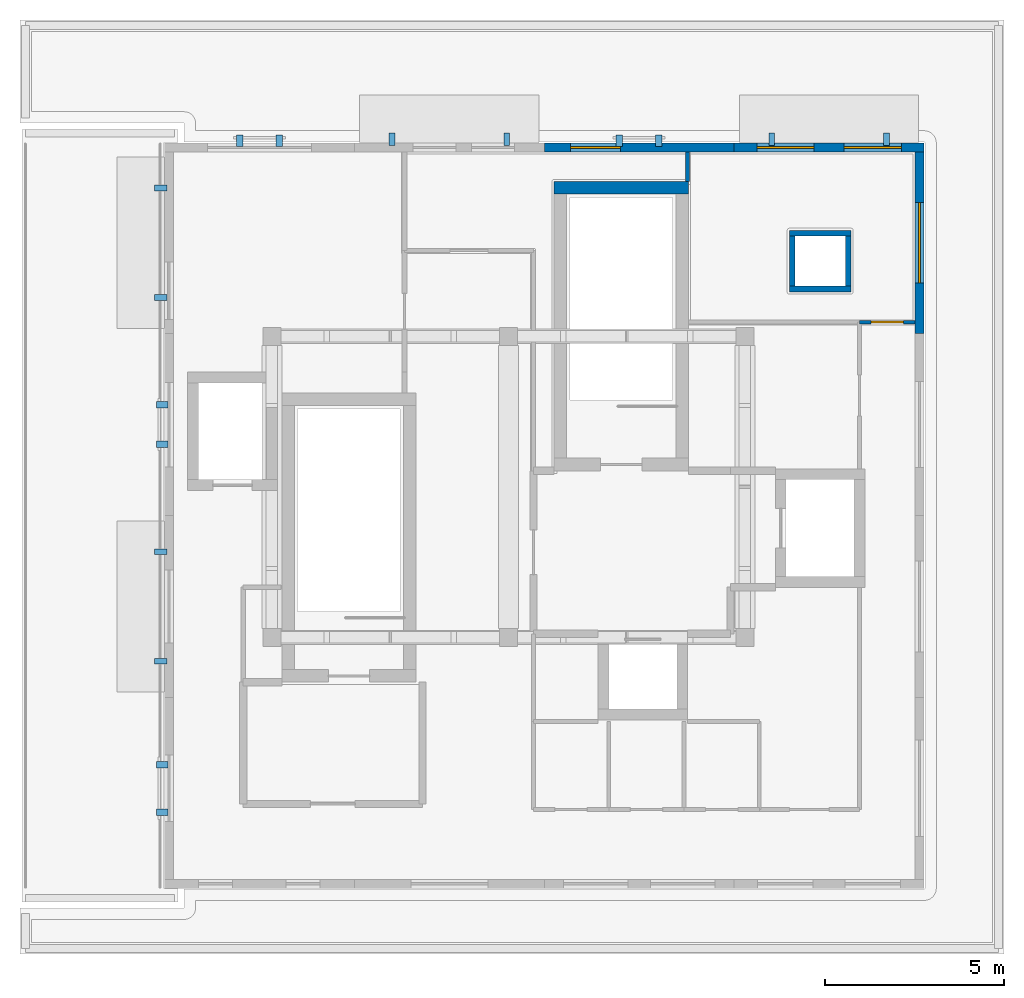
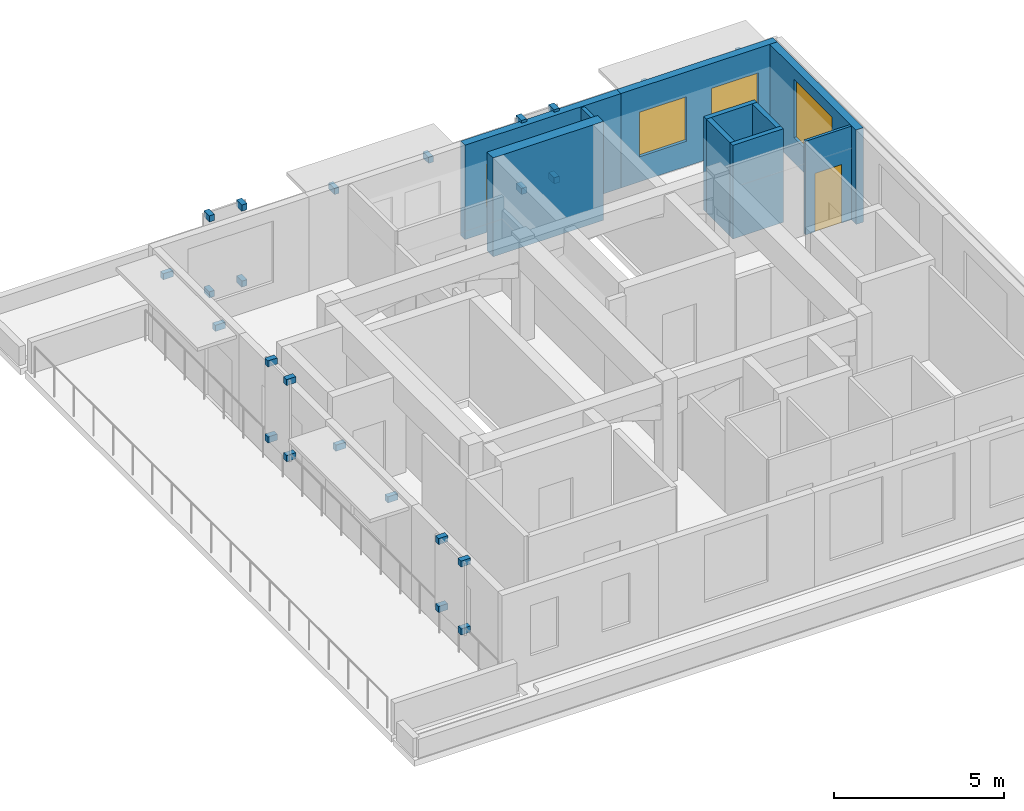
# One storey, part 4 of 5: 24 discrete accessories, 10 walls, 4 windows, 1 door, 5 openings.
"""IFC4 building model written with IfcOpenShell, lengths in metres."""

from ifc_helpers import new_model, si_unit, direction, frame, frame_2d, origin, origin_2d, place, context, subcontext, project, spatial, rectangle, extrude, material, layer, layer_set, type_object, element, fill, save


model = new_model("IFC4")

# Units and contexts
model_context = context("Model", 3, precision=1e-05, world=origin(), true_north=direction((0.0, 1.0)))
body_context = subcontext(model_context, "Body", "Model", "MODEL_VIEW")
ifc_project = project(units=[si_unit("LENGTHUNIT", "METRE"), si_unit("AREAUNIT", "SQUARE_METRE"), si_unit("VOLUMEUNIT", "CUBIC_METRE"), si_unit("PLANEANGLEUNIT", "RADIAN"), si_unit("MASSUNIT", "GRAM", prefix="KILO")], contexts=[model_context])

# Site, building, storey
site_placement = place(None, origin())
site = spatial("IfcSite", under=ifc_project, at=site_placement, CompositionType="ELEMENT")
building_placement = place(site_placement, origin())
building = spatial("IfcBuilding", under=site, at=building_placement, Name="Kolvaren Faculty of Natural Sciences", CompositionType="ELEMENT")
storey_placement = place(building_placement, frame((0.0, 0.0, 44.39990234375)))
storey = spatial("IfcBuildingStorey", under=building, at=storey_placement, Name="L10", CompositionType="ELEMENT", Elevation=44.39990234375)

# Wall
ifc_material_1 = material(Name="Concrete C40/50", Category="concrete")
ifc_layer_1 = layer(ifc_material_1, 0.35009765625)
ifc_layer_set_1 = layer_set([ifc_layer_1], Name="Concrete C40/50")
wall_type_1 = type_object("IfcWallType", Name="CoreShearWall_350", PredefinedType="SHEAR", material=ifc_layer_set_1)
wall_1_placement = place(storey_placement, frame((159.875, 79.949951171875, 0.0), z_axis=(0.0, 0.0, 1.0), x_axis=(1.0, 0.0, 0.0)))
element("IfcWall", 1, at=wall_1_placement, inside=storey, type_object=wall_type_1, Name="L10 CORE-C1 stair shear wall N", PredefinedType="SHEAR", context=body_context, shape_type="SweptSolid", body=[
    extrude(rectangle(XDim=3.75, YDim=0.35009765625, at=frame_2d((1.875, 0.0))), origin(), (0.0, 0.0, 1.0), 3.550048828125),
])

# Wall, opening, door
ifc_material_2 = material(Name="Acoustic mineral-wool insulated gypsum partition")
ifc_layer_2 = layer(ifc_material_2, 0.094970703125)
ifc_layer_set_2 = layer_set([ifc_layer_2], Name="Acoustic mineral-wool insulated gypsum partition")
wall_type_2 = type_object("IfcWallType", Name="CubiclePartition_095", PredefinedType="PARTITIONING", material=ifc_layer_set_2)
wall_2_placement = place(storey_placement, frame((169.947998046875, 76.199951171875, 0.0), z_axis=(0.0, 0.0, 1.0), x_axis=(-1.0, 0.0, 0.0)))
wall_2 = element("IfcWall", 2, at=wall_2_placement, inside=storey, type_object=wall_type_2, Name="L10 interior partition PW-095", PredefinedType="PARTITIONING", context=body_context, shape_type="SweptSolid", body=[
    extrude(rectangle(XDim=1.548095703125, YDim=0.094970703125, at=frame_2d((0.77392578125, 0.0))), origin(), (0.0, 0.0, 1.0), 3.360107421875),
])
opening_1_placement = place(wall_2_placement, frame((0.323974609375, 0.0, 0.0)))
opening_1 = element("IfcOpeningElement", 3, at=opening_1_placement, cuts=wall_2, Name="Opening ID-12", PredefinedType="OPENING", context=body_context, shape_type="SweptSolid", body=[
    extrude(rectangle(XDim=0.89990234375, YDim=2.10009765625, at=frame_2d((0.449951171875, 1.050048828125))), frame((0.0, 0.057373046875, 0.0), z_axis=(0.0, -1.0, 0.0), x_axis=(1.0, 0.0, 0.0)), (0.0, 0.0, 1.0), 0.114990234375),
])
ifc_material_3 = material(Name="Solid-core hardwood veneer door leaf in steel frame", Category="steel")
door_type = type_object("IfcDoorType", Name="InteriorRoomDoor_900x2100", OperationType="NOTDEFINED", PredefinedType="DOOR", material=ifc_material_3)
door_placement = place(opening_1_placement, origin())
door = element("IfcDoor", 4, at=door_placement, inside=storey, type_object=door_type, Name="D-L10-0404", OperationType="SINGLE_SWING_LEFT", OverallHeight=2.10009765625, OverallWidth=0.89990234375, PredefinedType="DOOR", context=body_context, shape_type="SweptSolid", body=[
    extrude(rectangle(XDim=0.89990234375, YDim=2.10009765625, at=frame_2d((0.449951171875, 1.050048828125))), frame((0.0, 0.02490234375, 0.0), z_axis=(0.0, -1.0, 0.0), x_axis=(1.0, 0.0, 0.0)), (0.0, 0.0, 1.0), 0.050048828125),
])
fill(opening_1, door)

# Wall, opening, window
ifc_material_4 = material(Name="Precast concrete C35/45", Category="concrete")
ifc_layer_3 = layer(ifc_material_4, 0.25)
ifc_layer_set_3 = layer_set([ifc_layer_3], Name="Precast concrete C35/45")
wall_type_3 = type_object("IfcWallType", Name="ExteriorTowerWall_250", PredefinedType="STANDARD", material=ifc_layer_set_3)
wall_3_placement = place(storey_placement, frame((170.074951171875, 80.949951171875, 0.0), z_axis=(0.0, 0.0, 1.0), x_axis=(0.0, -1.0, 0.0)))
wall_3 = element("IfcWall", 5, at=wall_3_placement, inside=storey, type_object=wall_type_3, Name="L10 exterior masonry wall EW-250 (754)", PredefinedType="STANDARD", context=body_context, shape_type="SweptSolid", body=[
    extrude(rectangle(XDim=5.074951171875, YDim=0.25, at=frame_2d((2.53759765625, 0.0))), origin(), (0.0, 0.0, 1.0), 3.39013671875),
])
opening_2_placement = place(wall_3_placement, frame((1.41259765625, 0.0, 0.89990234375)))
opening_2 = element("IfcOpeningElement", 6, at=opening_2_placement, cuts=wall_3, Name="Opening WIN-08", PredefinedType="OPENING", context=body_context, shape_type="SweptSolid", body=[
    extrude(rectangle(XDim=2.25, YDim=2.10009765625, at=frame_2d((1.125, 1.050048828125))), frame((0.0, 0.135009765625, 0.0), z_axis=(0.0, -1.0, 0.0), x_axis=(1.0, 0.0, 0.0)), (0.0, 0.0, 1.0), 0.27001953125),
])
ifc_material_5 = material(Name="Double low-E solar control insulated glazing", Category="glass")
window_type_1 = type_object("IfcWindowType", Name="AluWindow_WIN08_2250x2100", PartitioningType="SINGLE_PANEL", PredefinedType="WINDOW", material=ifc_material_5)
window_1_placement = place(opening_2_placement, origin())
window_1 = element("IfcWindow", 7, at=window_1_placement, inside=storey, type_object=window_type_1, Name="WIN-L10-0627", OverallHeight=2.10009765625, OverallWidth=2.25, PartitioningType="SINGLE_PANEL", PredefinedType="WINDOW", context=body_context, shape_type="SweptSolid", body=[
    extrude(rectangle(XDim=2.25, YDim=2.10009765625, at=frame_2d((1.125, 1.050048828125))), frame((0.0, 0.030029296875, 0.0), z_axis=(0.0, -1.0, 0.0), x_axis=(1.0, 0.0, 0.0)), (0.0, 0.0, 1.0), 0.06005859375),
])
fill(opening_2, window_1)

wall_4_placement = place(storey_placement, frame((159.60009765625, 81.074951171875, 0.0), z_axis=(0.0, 0.0, 1.0), x_axis=(1.0, 0.0, 0.0)))
wall_4 = element("IfcWall", 8, at=wall_4_placement, inside=storey, type_object=wall_type_3, Name="L10 exterior masonry wall EW-250 (760)", PredefinedType="STANDARD", context=body_context, shape_type="SweptSolid", body=[
    extrude(rectangle(XDim=5.2998046875, YDim=0.25, at=frame_2d((2.64990234375, 0.0))), origin(), (0.0, 0.0, 1.0), 3.39013671875),
])
opening_3_placement = place(wall_4_placement, frame((0.73095703125, 0.0, 0.89990234375)))
opening_3 = element("IfcOpeningElement", 9, at=opening_3_placement, cuts=wall_4, Name="Opening WIN-14", PredefinedType="OPENING", context=body_context, shape_type="SweptSolid", body=[
    extrude(rectangle(XDim=1.39990234375, YDim=1.550048828125, at=frame_2d((0.699951171875, 0.77490234375))), frame((0.0, 0.135009765625, 0.0), z_axis=(0.0, -1.0, 0.0), x_axis=(1.0, 0.0, 0.0)), (0.0, 0.0, 1.0), 0.27001953125),
])
window_type_2 = type_object("IfcWindowType", Name="AluWindow_WIN14_1400x1550", PartitioningType="SINGLE_PANEL", PredefinedType="WINDOW", material=ifc_material_5)
window_2_placement = place(opening_3_placement, origin())
window_2 = element("IfcWindow", 10, at=window_2_placement, inside=storey, type_object=window_type_2, Name="WIN-L10-0634", OverallHeight=1.550048828125, OverallWidth=1.39990234375, PartitioningType="SINGLE_PANEL", PredefinedType="WINDOW", context=body_context, shape_type="SweptSolid", body=[
    extrude(rectangle(XDim=1.39990234375, YDim=1.550048828125, at=frame_2d((0.699951171875, 0.77490234375))), frame((0.0, 0.030029296875, 0.0), z_axis=(0.0, -1.0, 0.0), x_axis=(1.0, 0.0, 0.0)), (0.0, 0.0, 1.0), 0.06005859375),
])
fill(opening_3, window_2)

# Wall, openings, windows
wall_5_placement = place(storey_placement, frame((164.89990234375, 81.074951171875, 0.0), z_axis=(0.0, 0.0, 1.0), x_axis=(1.0, 0.0, 0.0)))
wall_5 = element("IfcWall", 11, at=wall_5_placement, inside=storey, type_object=wall_type_3, Name="L10 exterior masonry wall EW-250 (761)", PredefinedType="STANDARD", context=body_context, shape_type="SweptSolid", body=[
    extrude(rectangle(XDim=5.300048828125, YDim=0.25, at=frame_2d((2.64990234375, 0.0))), origin(), (0.0, 0.0, 1.0), 3.39013671875),
])
opening_4_placement = place(wall_5_placement, frame((0.631103515625, 0.0, 0.89990234375)))
opening_4 = element("IfcOpeningElement", 12, at=opening_4_placement, cuts=wall_5, Name="Opening WIN-15", PredefinedType="OPENING", context=body_context, shape_type="SweptSolid", body=[
    extrude(rectangle(XDim=1.60009765625, YDim=1.60009765625, at=frame_2d((0.800048828125, 0.800048828125))), frame((0.0, 0.135009765625, 0.0), z_axis=(0.0, -1.0, 0.0), x_axis=(1.0, 0.0, 0.0)), (0.0, 0.0, 1.0), 0.27001953125),
])
opening_5_placement = place(wall_5_placement, frame((3.069091796875, 0.0, 0.89990234375)))
opening_5 = element("IfcOpeningElement", 13, at=opening_5_placement, cuts=wall_5, Name="Opening WIN-15", PredefinedType="OPENING", context=body_context, shape_type="SweptSolid", body=[
    extrude(rectangle(XDim=1.60009765625, YDim=1.60009765625, at=frame_2d((0.800048828125, 0.800048828125))), frame((0.0, 0.135009765625, 0.0), z_axis=(0.0, -1.0, 0.0), x_axis=(1.0, 0.0, 0.0)), (0.0, 0.0, 1.0), 0.27001953125),
])
window_type_3 = type_object("IfcWindowType", Name="AluWindow_WIN15_1600x1600", PartitioningType="SINGLE_PANEL", PredefinedType="WINDOW", material=ifc_material_5)
window_3_placement = place(opening_4_placement, origin())
window_3 = element("IfcWindow", 14, at=window_3_placement, inside=storey, type_object=window_type_3, Name="WIN-L10-0635", OverallHeight=1.60009765625, OverallWidth=1.60009765625, PartitioningType="SINGLE_PANEL", PredefinedType="WINDOW", context=body_context, shape_type="SweptSolid", body=[
    extrude(rectangle(XDim=1.60009765625, YDim=1.60009765625, at=frame_2d((0.800048828125, 0.800048828125))), frame((0.0, 0.030029296875, 0.0), z_axis=(0.0, -1.0, 0.0), x_axis=(1.0, 0.0, 0.0)), (0.0, 0.0, 1.0), 0.06005859375),
])
fill(opening_4, window_3)
window_4_placement = place(opening_5_placement, origin())
window_4 = element("IfcWindow", 15, at=window_4_placement, inside=storey, type_object=window_type_3, Name="WIN-L10-0636", OverallHeight=1.60009765625, OverallWidth=1.60009765625, PartitioningType="SINGLE_PANEL", PredefinedType="WINDOW", context=body_context, shape_type="SweptSolid", body=[
    extrude(rectangle(XDim=1.60009765625, YDim=1.60009765625, at=frame_2d((0.800048828125, 0.800048828125))), frame((0.0, 0.030029296875, 0.0), z_axis=(0.0, -1.0, 0.0), x_axis=(1.0, 0.0, 0.0)), (0.0, 0.0, 1.0), 0.06005859375),
])
fill(opening_5, window_4)

# Walls
ifc_material_6 = material(Name="Double fire-rated gypsum board on 100 mm steel stud", Category="steel")
ifc_layer_4 = layer(ifc_material_6, 0.159912109375)
ifc_layer_set_4 = layer_set([ifc_layer_4], Name="Double fire-rated gypsum board on 100 mm steel stud")
wall_type_4 = type_object("IfcWallType", Name="RiserShaftWall_160", PredefinedType="PARTITIONING", material=ifc_layer_set_4)
for number, where, z_axis, x_axis, name in (
    (16, (166.43994140625, 77.1201171875, 0.0), (0.0, 0.0, 1.0), (1.0, 0.0, 0.0), "L10 service riser shaft wall S"),
    (17, (166.43994140625, 78.679931640625, 0.0), (0.0, 0.0, 1.0), (1.0, 0.0, 0.0), "L10 service riser shaft wall N"),
):
    element("IfcWall", number, at=place(storey_placement, frame(where, z_axis=z_axis, x_axis=x_axis)), inside=storey, type_object=wall_type_4, Name=name, PredefinedType="PARTITIONING", context=body_context, shape_type="SweptSolid", body=[
        extrude(rectangle(XDim=1.719970703125, YDim=0.159912109375, at=frame_2d((0.85986328125, 0.0))), origin(), (0.0, 0.0, 1.0), 3.360107421875),
    ])
for number, where, z_axis, x_axis, name in (
    (18, (166.52001953125, 77.199951171875, 0.0), (0.0, 0.0, 1.0), (0.0, 1.0, 0.0), "L10 service riser shaft wall W"),
    (19, (168.080078125, 77.199951171875, 0.0), (0.0, 0.0, 1.0), (0.0, 1.0, 0.0), "L10 service riser shaft wall E"),
):
    element("IfcWall", number, at=place(storey_placement, frame(where, z_axis=z_axis, x_axis=x_axis)), inside=storey, type_object=wall_type_4, Name=name, PredefinedType="PARTITIONING", context=body_context, shape_type="SweptSolid", body=[
        extrude(rectangle(XDim=1.400146484375, YDim=0.159912109375, at=frame_2d((0.7001953125, 0.0))), origin(), (0.0, 0.0, 1.0), 3.360107421875),
    ])
ifc_layer_5 = layer(ifc_material_2, 0.1201171875)
ifc_layer_set_5 = layer_set([ifc_layer_5], Name="Acoustic mineral-wool insulated gypsum partition")
wall_type_5 = type_object("IfcWallType", Name="StudioPartitionWall_120", PredefinedType="PARTITIONING", material=ifc_layer_set_5)
wall_6_placement = place(storey_placement, frame((163.60009765625, 80.947998046875, 0.0), z_axis=(0.0, 0.0, 1.0), x_axis=(0.0, -1.0, 0.0)))
element("IfcWall", 20, at=wall_6_placement, inside=storey, type_object=wall_type_5, Name="L10 interior partition PW-120", PredefinedType="PARTITIONING", context=body_context, shape_type="SweptSolid", body=[
    extrude(rectangle(XDim=0.821044921875, YDim=0.1201171875, at=frame_2d((0.41064453125, 0.0))), origin(), (0.0, 0.0, 1.0), 3.360107421875),
])

# Discrete accessories
ifc_material_7 = material(Name="Structural steel EN 10025-2 S355J2", Category="steel")
discrete_accessory_type = type_object("IfcDiscreteAccessoryType", Name="FacadeSupportBracket_260", PredefinedType="BRACKET", material=ifc_material_7)
for number, where, z_axis, x_axis, name in (
    (21, (151.09912109375, 81.260009765625, 0.8203125), (0.0, 0.0, 1.0), (1.0, 0.0, 0.0), "L10 jali screen wall bracket"),
    (22, (152.200927734375, 81.260009765625, 0.8203125), (0.0, 0.0, 1.0), (1.0, 0.0, 0.0), "L10 jali screen wall bracket"),
    (23, (151.09912109375, 81.260009765625, 3.55029296875), (0.0, 0.0, 1.0), (1.0, 0.0, 0.0), "L10 jali screen wall bracket"),
    (24, (152.200927734375, 81.260009765625, 3.55029296875), (0.0, 0.0, 1.0), (1.0, 0.0, 0.0), "L10 jali screen wall bracket"),
):
    element("IfcDiscreteAccessory", number, at=place(storey_placement, frame(where, z_axis=z_axis, x_axis=x_axis)), inside=storey, type_object=discrete_accessory_type, Name=name, PredefinedType="BRACKET", context=body_context, shape_type="SweptSolid", body=[
        extrude(rectangle(XDim=0.179931640625, YDim=0.320068359375, at=origin_2d()), origin(), (0.0, 0.0, 1.0), 0.219970703125),
    ])
for number, where, z_axis, x_axis, name in (
    (25, (155.35009765625, 81.300048828125, 3.02001953125), (0.0, 0.0, 1.0), (1.0, 0.0, 0.0), "L10 chhajja hood steel bracket"),
    (26, (158.550048828125, 81.300048828125, 3.02001953125), (0.0, 0.0, 1.0), (1.0, 0.0, 0.0), "L10 chhajja hood steel bracket"),
):
    element("IfcDiscreteAccessory", number, at=place(storey_placement, frame(where, z_axis=z_axis, x_axis=x_axis)), inside=storey, type_object=discrete_accessory_type, Name=name, PredefinedType="BRACKET", context=body_context, shape_type="SweptSolid", body=[
        extrude(rectangle(XDim=0.159912109375, YDim=0.340087890625, at=origin_2d()), origin(), (0.0, 0.0, 1.0), 0.219970703125),
    ])
for number, where, z_axis, x_axis, name in (
    (27, (161.698974609375, 81.260009765625, 0.8203125), (0.0, 0.0, 1.0), (1.0, 0.0, 0.0), "L10 jali screen wall bracket"),
    (28, (162.801025390625, 81.260009765625, 0.8203125), (0.0, 0.0, 1.0), (1.0, 0.0, 0.0), "L10 jali screen wall bracket"),
    (29, (161.698974609375, 81.260009765625, 3.26025390625), (0.0, 0.0, 1.0), (1.0, 0.0, 0.0), "L10 jali screen wall bracket"),
    (30, (162.801025390625, 81.260009765625, 3.26025390625), (0.0, 0.0, 1.0), (1.0, 0.0, 0.0), "L10 jali screen wall bracket"),
):
    element("IfcDiscreteAccessory", number, at=place(storey_placement, frame(where, z_axis=z_axis, x_axis=x_axis)), inside=storey, type_object=discrete_accessory_type, Name=name, PredefinedType="BRACKET", context=body_context, shape_type="SweptSolid", body=[
        extrude(rectangle(XDim=0.179931640625, YDim=0.320068359375, at=origin_2d()), origin(), (0.0, 0.0, 1.0), 0.219970703125),
    ])
for number, where, z_axis, x_axis, name in (
    (31, (165.949951171875, 81.300048828125, 3.02001953125), (0.0, 0.0, 1.0), (1.0, 0.0, 0.0), "L10 chhajja hood steel bracket"),
    (32, (169.14990234375, 81.300048828125, 3.02001953125), (0.0, 0.0, 1.0), (1.0, 0.0, 0.0), "L10 chhajja hood steel bracket"),
):
    element("IfcDiscreteAccessory", number, at=place(storey_placement, frame(where, z_axis=z_axis, x_axis=x_axis)), inside=storey, type_object=discrete_accessory_type, Name=name, PredefinedType="BRACKET", context=body_context, shape_type="SweptSolid", body=[
        extrude(rectangle(XDim=0.159912109375, YDim=0.340087890625, at=origin_2d()), origin(), (0.0, 0.0, 1.0), 0.219970703125),
    ])
for number, where, z_axis, x_axis, name in (
    (33, (148.93994140625, 62.5224609375, 0.8203125), (0.0, 0.0, 1.0), (0.0, 1.0, 0.0), "L10 jali screen wall bracket"),
    (34, (148.93994140625, 63.8525390625, 0.8203125), (0.0, 0.0, 1.0), (0.0, 1.0, 0.0), "L10 jali screen wall bracket"),
    (35, (148.93994140625, 62.5224609375, 3.26025390625), (0.0, 0.0, 1.0), (0.0, 1.0, 0.0), "L10 jali screen wall bracket"),
    (36, (148.93994140625, 63.8525390625, 3.26025390625), (0.0, 0.0, 1.0), (0.0, 1.0, 0.0), "L10 jali screen wall bracket"),
):
    element("IfcDiscreteAccessory", number, at=place(storey_placement, frame(where, z_axis=z_axis, x_axis=x_axis)), inside=storey, type_object=discrete_accessory_type, Name=name, PredefinedType="BRACKET", context=body_context, shape_type="SweptSolid", body=[
        extrude(rectangle(XDim=0.179931640625, YDim=0.320068359375, at=origin_2d()), origin(), (0.0, 0.0, 1.0), 0.219970703125),
    ])
for number, where, z_axis, x_axis, name in (
    (37, (148.89990234375, 66.734619140625, 3.02001953125), (0.0, 0.0, 1.0), (0.0, 1.0, 0.0), "L10 chhajja hood steel bracket"),
    (38, (148.89990234375, 69.79052734375, 3.02001953125), (0.0, 0.0, 1.0), (0.0, 1.0, 0.0), "L10 chhajja hood steel bracket"),
):
    element("IfcDiscreteAccessory", number, at=place(storey_placement, frame(where, z_axis=z_axis, x_axis=x_axis)), inside=storey, type_object=discrete_accessory_type, Name=name, PredefinedType="BRACKET", context=body_context, shape_type="SweptSolid", body=[
        extrude(rectangle(XDim=0.159912109375, YDim=0.340087890625, at=origin_2d()), origin(), (0.0, 0.0, 1.0), 0.219970703125),
    ])
for number, where, z_axis, x_axis, name in (
    (39, (148.93994140625, 72.78662109375, 0.8203125), (0.0, 0.0, 1.0), (0.0, 1.0, 0.0), "L10 jali screen wall bracket"),
    (40, (148.93994140625, 73.888427734375, 0.8203125), (0.0, 0.0, 1.0), (0.0, 1.0, 0.0), "L10 jali screen wall bracket"),
    (41, (148.93994140625, 72.78662109375, 3.55029296875), (0.0, 0.0, 1.0), (0.0, 1.0, 0.0), "L10 jali screen wall bracket"),
    (42, (148.93994140625, 73.888427734375, 3.55029296875), (0.0, 0.0, 1.0), (0.0, 1.0, 0.0), "L10 jali screen wall bracket"),
):
    element("IfcDiscreteAccessory", number, at=place(storey_placement, frame(where, z_axis=z_axis, x_axis=x_axis)), inside=storey, type_object=discrete_accessory_type, Name=name, PredefinedType="BRACKET", context=body_context, shape_type="SweptSolid", body=[
        extrude(rectangle(XDim=0.179931640625, YDim=0.320068359375, at=origin_2d()), origin(), (0.0, 0.0, 1.0), 0.219970703125),
    ])
for number, where, z_axis, x_axis, name in (
    (43, (148.89990234375, 76.884521484375, 3.02001953125), (0.0, 0.0, 1.0), (0.0, 1.0, 0.0), "L10 chhajja hood steel bracket"),
    (44, (148.89990234375, 79.9404296875, 3.02001953125), (0.0, 0.0, 1.0), (0.0, 1.0, 0.0), "L10 chhajja hood steel bracket"),
):
    element("IfcDiscreteAccessory", number, at=place(storey_placement, frame(where, z_axis=z_axis, x_axis=x_axis)), inside=storey, type_object=discrete_accessory_type, Name=name, PredefinedType="BRACKET", context=body_context, shape_type="SweptSolid", body=[
        extrude(rectangle(XDim=0.159912109375, YDim=0.340087890625, at=origin_2d()), origin(), (0.0, 0.0, 1.0), 0.219970703125),
    ])

save(model, "model.ifc")
